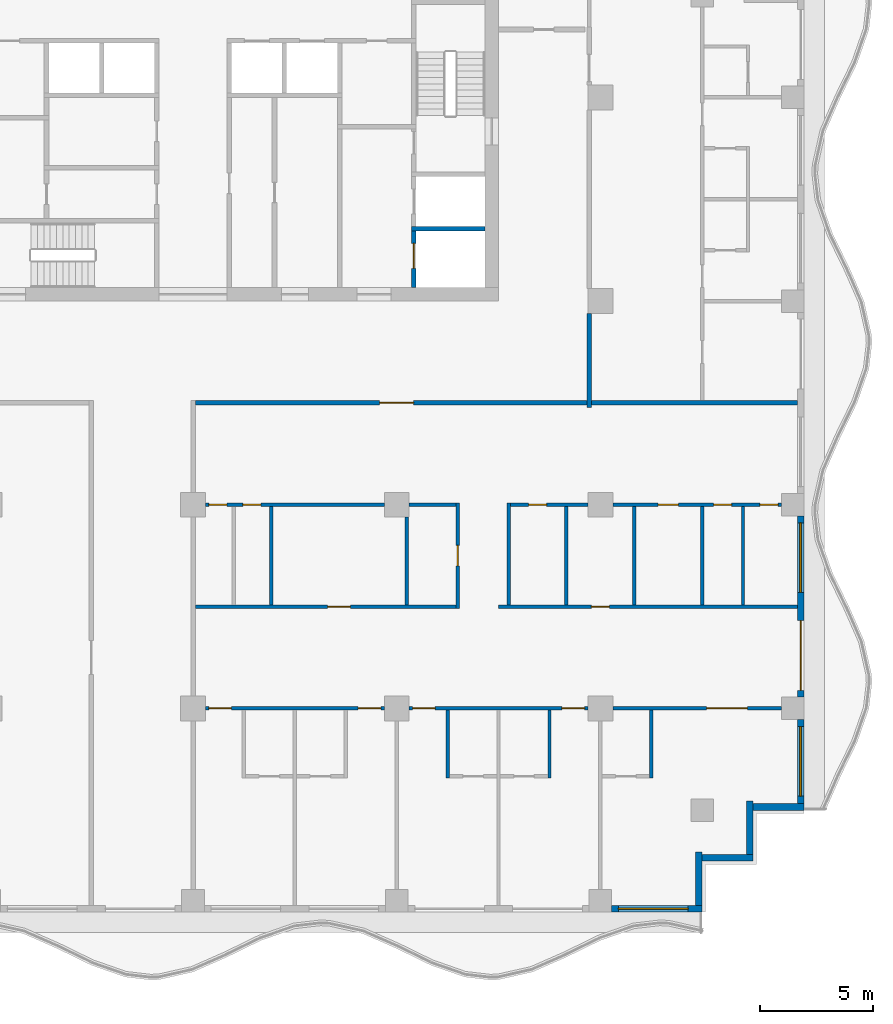
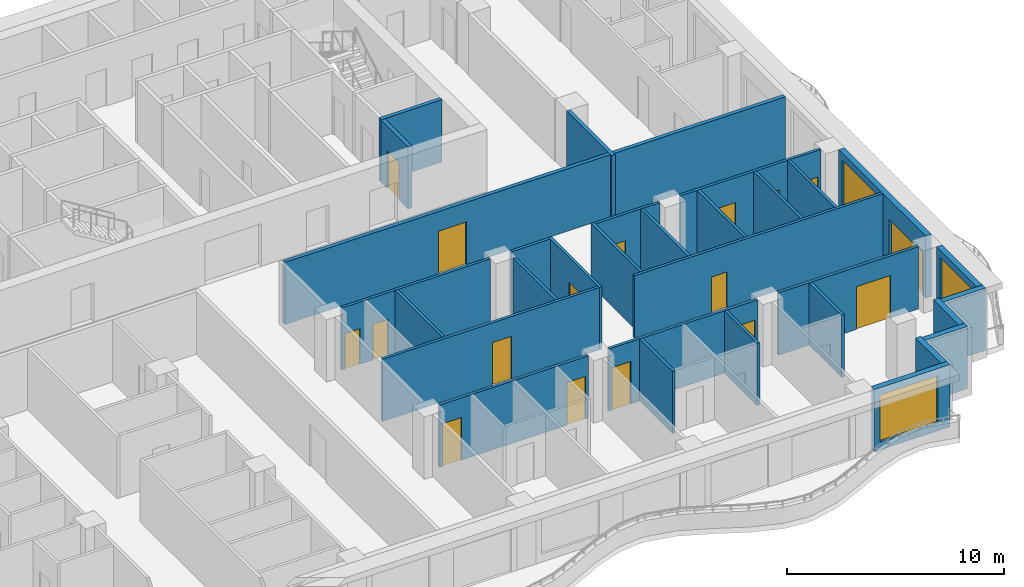
# One storey, part 4 of 12: 32 walls, 17 doors, 3 windows, 20 openings.
"""IFC4 building model written with IfcOpenShell, lengths in metres."""

from ifc_helpers import new_model, si_unit, direction, frame, frame_2d, origin, place, context, subcontext, project, spatial, rectangle, extrude, material, layer, layer_set, type_object, element, fill, save


model = new_model("IFC4")

# Units and contexts
model_context = context("Model", 3, precision=1e-05, world=origin(), true_north=direction((0.0, 1.0)))
body_context = subcontext(model_context, "Body", "Model", "MODEL_VIEW")
ifc_project = project(units=[si_unit("LENGTHUNIT", "METRE"), si_unit("AREAUNIT", "SQUARE_METRE"), si_unit("VOLUMEUNIT", "CUBIC_METRE"), si_unit("PLANEANGLEUNIT", "RADIAN"), si_unit("MASSUNIT", "GRAM", prefix="KILO")], contexts=[model_context])

# Site, building, storey
site_placement = place(None, origin())
site = spatial("IfcSite", under=ifc_project, at=site_placement, CompositionType="ELEMENT")
building_placement = place(site_placement, origin())
building = spatial("IfcBuilding", under=site, at=building_placement, Name="Orbiselva Terraces", CompositionType="ELEMENT")
storey_placement = place(building_placement, frame((0.0, 0.0, 207.2)))
storey = spatial("IfcBuildingStorey", under=building, at=storey_placement, Name="L52", CompositionType="ELEMENT", Elevation=207.2)

# Wall, opening, door
ifc_material_1 = material(Name="Concrete C60/75", Category="concrete")
ifc_layer_1 = layer(ifc_material_1, 0.2)
ifc_layer_set_1 = layer_set([ifc_layer_1], Name="Concrete C60/75")
wall_type_1 = type_object("IfcWallType", Name="CORE-WALL-SHEAR-200", PredefinedType="SHEAR", material=ifc_layer_set_1)
wall_1_placement = place(storey_placement, frame((9.75, 5.1, 0.0), z_axis=(0.0, 0.0, 1.0), x_axis=(0.0, 1.0, 0.0)))
wall_1 = element("IfcWall", 1, at=wall_1_placement, inside=storey, type_object=wall_type_1, Name="L52 core wall 40", PredefinedType="SHEAR", context=body_context, shape_type="SweptSolid", body=[
    extrude(rectangle(XDim=2.5, YDim=0.2, at=frame_2d((1.25, 0.0))), origin(), (0.0, 0.0, 1.0), 3.5),
])
opening_1_placement = place(wall_1_placement, frame((0.85, 0.0, 0.0)))
opening_1 = element("IfcOpeningElement", 2, at=opening_1_placement, cuts=wall_1, Name="Opening LD-FF1", PredefinedType="OPENING", context=body_context, shape_type="SweptSolid", body=[
    extrude(rectangle(XDim=1.1, YDim=2.1, at=frame_2d((0.55, 1.05))), frame((0.0, 0.11, 0.0), z_axis=(0.0, -1.0, 0.0), x_axis=(1.0, 0.0, 0.0)), (0.0, 0.0, 1.0), 0.22),
])
ifc_material_2 = material(Name="Stainless steel landing door", Category="steel")
door_type_1 = type_object("IfcDoorType", Name="LANDING DOOR 1100", OperationType="SLIDING_TO_LEFT", PredefinedType="DOOR", material=ifc_material_2)
door_1_placement = place(opening_1_placement, origin())
door_1 = element("IfcDoor", 3, at=door_1_placement, inside=storey, type_object=door_type_1, Name="L52 landing door FF1", OperationType="SLIDING_TO_RIGHT", OverallHeight=2.1, OverallWidth=1.1, PredefinedType="DOOR", context=body_context, shape_type="SweptSolid", body=[
    extrude(rectangle(XDim=1.1, YDim=2.1, at=frame_2d((0.55, 1.05))), frame((0.0, 0.025, 0.0), z_axis=(0.0, -1.0, 0.0), x_axis=(1.0, 0.0, 0.0)), (0.0, 0.0, 1.0), 0.05),
])
fill(opening_1, door_1)

# Wall
wall_2_placement = place(storey_placement, frame((9.65, 7.7, 0.0), z_axis=(0.0, 0.0, 1.0), x_axis=(1.0, 0.0, 0.0)))
element("IfcWall", 4, at=wall_2_placement, inside=storey, type_object=wall_type_1, Name="L52 core wall 41", PredefinedType="SHEAR", context=body_context, shape_type="SweptSolid", body=[
    extrude(rectangle(XDim=3.25, YDim=0.2, at=frame_2d((1.625, 0.0))), origin(), (0.0, 0.0, 1.0), 3.5),
])

# Wall, opening, window
ifc_material_3 = material(Name="Terracotta cladding on masonry backing", Category="masonry")
ifc_layer_2 = layer(ifc_material_3, 0.3)
ifc_layer_set_2 = layer_set([ifc_layer_2], Name="Terracotta cladding on masonry backing")
wall_type_2 = type_object("IfcWallType", Name="ENV-WALL-TERRACOTTA-300", PredefinedType="SOLIDWALL", material=ifc_layer_set_2)
wall_3_placement = place(storey_placement, frame((22.5, -22.35, 0.0), z_axis=(0.0, 0.0, 1.0), x_axis=(-1.0, 0.0, 0.0)))
wall_3 = element("IfcWall", 5, at=wall_3_placement, inside=storey, type_object=wall_type_2, Name="Facade wall L52 S", PredefinedType="SOLIDWALL", context=body_context, shape_type="SweptSolid", body=[
    extrude(rectangle(XDim=4.0, YDim=0.3, at=frame_2d((2.0, 0.0))), origin(), (0.0, 0.0, 1.0), 3.5),
])
opening_2_placement = place(wall_3_placement, frame((0.625, 0.0, 0.45)))
opening_2 = element("IfcOpeningElement", 6, at=opening_2_placement, cuts=wall_3, Name="Opening WN15", PredefinedType="OPENING", context=body_context, shape_type="SweptSolid", body=[
    extrude(rectangle(XDim=3.075, YDim=2.65, at=frame_2d((1.5375, 1.325))), frame((0.0, 0.16, 0.0), z_axis=(0.0, -1.0, 0.0), x_axis=(1.0, 0.0, 0.0)), (0.0, 0.0, 1.0), 0.32),
])
ifc_material_4 = material(Name="Clear low-e glazing in aluminium frame", Category="aluminium")
window_type = type_object("IfcWindowType", Name="WINDOW 3075 X 2650 S450", PartitioningType="TRIPLE_PANEL_VERTICAL", PredefinedType="WINDOW", material=ifc_material_4)
window_1_placement = place(opening_2_placement, origin())
window_1 = element("IfcWindow", 7, at=window_1_placement, inside=storey, type_object=window_type, Name="Window L52 S", OverallHeight=2.65, OverallWidth=3.075, PartitioningType="SINGLE_PANEL", PredefinedType="WINDOW", context=body_context, shape_type="SweptSolid", body=[
    extrude(rectangle(XDim=3.075, YDim=2.65, at=frame_2d((1.5375, 1.325))), frame((0.0, 0.03, 0.0), z_axis=(0.0, -1.0, 0.0), x_axis=(1.0, 0.0, 0.0)), (0.0, 0.0, 1.0), 0.06),
])
fill(opening_2, window_1)

# Walls
wall_4_placement = place(storey_placement, frame((22.35, -19.85, 0.0), z_axis=(0.0, 0.0, 1.0), x_axis=(0.0, -1.0, 0.0)))
element("IfcWall", 8, at=wall_4_placement, inside=storey, type_object=wall_type_2, Name="Facade wall L52 STEP", PredefinedType="SOLIDWALL", context=body_context, shape_type="SweptSolid", body=[
    extrude(rectangle(XDim=2.35, YDim=0.3, at=frame_2d((1.175, 0.0))), origin(), (0.0, 0.0, 1.0), 3.5),
])
wall_5_placement = place(storey_placement, frame((24.75, -20.1, 0.0), z_axis=(0.0, 0.0, 1.0), x_axis=(-1.0, 0.0, 0.0)))
element("IfcWall", 9, at=wall_5_placement, inside=storey, type_object=wall_type_2, Name="Facade wall L52 STEP", PredefinedType="SOLIDWALL", context=body_context, shape_type="SweptSolid", body=[
    extrude(rectangle(XDim=2.25, YDim=0.3, at=frame_2d((1.125, 0.0))), origin(), (0.0, 0.0, 1.0), 3.5),
])
wall_6_placement = place(storey_placement, frame((24.6, -17.6, 0.0), z_axis=(0.0, 0.0, 1.0), x_axis=(0.0, -1.0, 0.0)))
element("IfcWall", 10, at=wall_6_placement, inside=storey, type_object=wall_type_2, Name="Facade wall L52 STEP", PredefinedType="SOLIDWALL", context=body_context, shape_type="SweptSolid", body=[
    extrude(rectangle(XDim=2.35, YDim=0.3, at=frame_2d((1.175, 0.0))), origin(), (0.0, 0.0, 1.0), 3.5),
])
wall_7_placement = place(storey_placement, frame((27.0, -17.85, 0.0), z_axis=(0.0, 0.0, 1.0), x_axis=(-1.0, 0.0, 0.0)))
element("IfcWall", 11, at=wall_7_placement, inside=storey, type_object=wall_type_2, Name="Facade wall L52 STEP", PredefinedType="SOLIDWALL", context=body_context, shape_type="SweptSolid", body=[
    extrude(rectangle(XDim=2.25, YDim=0.3, at=frame_2d((1.125, 0.0))), origin(), (0.0, 0.0, 1.0), 3.5),
])

# Wall, opening, window
wall_8_placement = place(storey_placement, frame((26.85, -14.0, 0.0), z_axis=(0.0, 0.0, 1.0), x_axis=(0.0, -1.0, 0.0)))
wall_8 = element("IfcWall", 12, at=wall_8_placement, inside=storey, type_object=wall_type_2, Name="Facade wall L52 E", PredefinedType="SOLIDWALL", context=body_context, shape_type="SweptSolid", body=[
    extrude(rectangle(XDim=3.7, YDim=0.3, at=frame_2d((1.85, 0.0))), origin(), (0.0, 0.0, 1.0), 3.5),
])
opening_3_placement = place(wall_8_placement, frame((0.3, 0.0, 0.45)))
opening_3 = element("IfcOpeningElement", 13, at=opening_3_placement, cuts=wall_8, Name="Opening WN15", PredefinedType="OPENING", context=body_context, shape_type="SweptSolid", body=[
    extrude(rectangle(XDim=3.075, YDim=2.65, at=frame_2d((1.5375, 1.325))), frame((0.0, 0.16, 0.0), z_axis=(0.0, -1.0, 0.0), x_axis=(1.0, 0.0, 0.0)), (0.0, 0.0, 1.0), 0.32),
])
window_2_placement = place(opening_3_placement, origin())
window_2 = element("IfcWindow", 14, at=window_2_placement, inside=storey, type_object=window_type, Name="Window L52 E", OverallHeight=2.65, OverallWidth=3.075, PartitioningType="SINGLE_PANEL", PredefinedType="WINDOW", context=body_context, shape_type="SweptSolid", body=[
    extrude(rectangle(XDim=3.075, YDim=2.65, at=frame_2d((1.5375, 1.325))), frame((0.0, 0.03, 0.0), z_axis=(0.0, -1.0, 0.0), x_axis=(1.0, 0.0, 0.0)), (0.0, 0.0, 1.0), 0.06),
])
fill(opening_3, window_2)

# Wall, openings, door, window
wall_9_placement = place(storey_placement, frame((26.85, -5.0, 0.0), z_axis=(0.0, 0.0, 1.0), x_axis=(0.0, -1.0, 0.0)))
wall_9 = element("IfcWall", 15, at=wall_9_placement, inside=storey, type_object=wall_type_2, Name="Facade wall L52 E", PredefinedType="SOLIDWALL", context=body_context, shape_type="SweptSolid", body=[
    extrude(rectangle(XDim=8.0, YDim=0.3, at=frame_2d((4.0, 0.0))), origin(), (0.0, 0.0, 1.0), 3.5),
])
opening_4_placement = place(wall_9_placement, frame((4.625, 0.0, 0.0)))
opening_4 = element("IfcOpeningElement", 16, at=opening_4_placement, cuts=wall_9, Name="Opening Z4-C-E05", PredefinedType="OPENING", context=body_context, shape_type="SweptSolid", body=[
    extrude(rectangle(XDim=3.075, YDim=2.4, at=frame_2d((1.5375, 1.2))), frame((0.0, 0.16, 0.0), z_axis=(0.0, -1.0, 0.0), x_axis=(1.0, 0.0, 0.0)), (0.0, 0.0, 1.0), 0.32),
])
opening_5_placement = place(wall_9_placement, frame((0.3, 0.0, 0.45)))
opening_5 = element("IfcOpeningElement", 17, at=opening_5_placement, cuts=wall_9, Name="Opening WN15", PredefinedType="OPENING", context=body_context, shape_type="SweptSolid", body=[
    extrude(rectangle(XDim=3.075, YDim=2.65, at=frame_2d((1.5375, 1.325))), frame((0.0, 0.16, 0.0), z_axis=(0.0, -1.0, 0.0), x_axis=(1.0, 0.0, 0.0)), (0.0, 0.0, 1.0), 0.32),
])
door_type_2 = type_object("IfcDoorType", Name="BALCONY DOOR 3075 X 2400", OperationType="DOUBLE_DOOR_SLIDING", PredefinedType="DOOR", material=ifc_material_4)
door_2_placement = place(opening_4_placement, origin())
door_2 = element("IfcDoor", 18, at=door_2_placement, inside=storey, type_object=door_type_2, Name="Z4-C-E05", OperationType="SINGLE_SWING_LEFT", OverallHeight=2.4, OverallWidth=3.075, PredefinedType="DOOR", context=body_context, shape_type="SweptSolid", body=[
    extrude(rectangle(XDim=3.075, YDim=2.4, at=frame_2d((1.5375, 1.2))), frame((0.0, 0.025, 0.0), z_axis=(0.0, -1.0, 0.0), x_axis=(1.0, 0.0, 0.0)), (0.0, 0.0, 1.0), 0.05),
])
fill(opening_4, door_2)
window_3_placement = place(opening_5_placement, origin())
window_3 = element("IfcWindow", 19, at=window_3_placement, inside=storey, type_object=window_type, Name="Window L52 E", OverallHeight=2.65, OverallWidth=3.075, PartitioningType="SINGLE_PANEL", PredefinedType="WINDOW", context=body_context, shape_type="SweptSolid", body=[
    extrude(rectangle(XDim=3.075, YDim=2.65, at=frame_2d((1.5375, 1.325))), frame((0.0, 0.03, 0.0), z_axis=(0.0, -1.0, 0.0), x_axis=(1.0, 0.0, 0.0)), (0.0, 0.0, 1.0), 0.06),
])
fill(opening_5, window_3)

# Wall, opening, door
ifc_material_5 = material(Name="Plasterboard on steel stud partition", Category="steel")
ifc_layer_3 = layer(ifc_material_5, 0.2)
ifc_layer_set_3 = layer_set([ifc_layer_3], Name="Plasterboard on steel stud partition")
wall_type_3 = type_object("IfcWallType", Name="UNIT-ENTRANCE-WALL-200", PredefinedType="PARTITIONING", material=ifc_layer_set_3)
wall_10_placement = place(storey_placement, frame((17.4, 0.0, 0.0), z_axis=(0.0, 0.0, 1.0), x_axis=(-1.0, 0.0, 0.0)))
wall_10 = element("IfcWall", 20, at=wall_10_placement, inside=storey, type_object=wall_type_3, Name="PARTITION L52-031", PredefinedType="PARTITIONING", context=body_context, shape_type="SweptSolid", body=[
    extrude(rectangle(XDim=17.3, YDim=0.2, at=frame_2d((8.65, 0.0))), origin(), (0.0, 0.0, 1.0), 3.5),
])
opening_6_placement = place(wall_10_placement, frame((7.65, 0.0, 0.0)))
opening_6 = element("IfcOpeningElement", 21, at=opening_6_placement, cuts=wall_10, Name="Opening Z4-C-34", PredefinedType="OPENING", context=body_context, shape_type="SweptSolid", body=[
    extrude(rectangle(XDim=1.5, YDim=2.4, at=frame_2d((0.75, 1.2))), frame((0.0, 0.11, 0.0), z_axis=(0.0, -1.0, 0.0), x_axis=(1.0, 0.0, 0.0)), (0.0, 0.0, 1.0), 0.22),
])
ifc_material_6 = material(Name="Painted timber door leaf", Category="wood")
door_type_3 = type_object("IfcDoorType", Name="ENTRANCE DOUBLE DOOR 1500", OperationType="NOTDEFINED", PredefinedType="DOOR", material=ifc_material_6)
door_3_placement = place(opening_6_placement, origin())
door_3 = element("IfcDoor", 22, at=door_3_placement, inside=storey, type_object=door_type_3, Name="Z4-C-34", OperationType="DOUBLE_DOOR_SINGLE_SWING", OverallHeight=2.4, OverallWidth=1.5, PredefinedType="DOOR", context=body_context, shape_type="SweptSolid", body=[
    extrude(rectangle(XDim=1.5, YDim=2.4, at=frame_2d((0.75, 1.2))), frame((0.0, 0.025, 0.0), z_axis=(0.0, -1.0, 0.0), x_axis=(1.0, 0.0, 0.0)), (0.0, 0.0, 1.0), 0.05),
])
fill(opening_6, door_3)

# Wall
wall_11_placement = place(storey_placement, frame((17.5, -0.2, 0.0), z_axis=(0.0, 0.0, 1.0), x_axis=(0.0, 1.0, 0.0)))
element("IfcWall", 23, at=wall_11_placement, inside=storey, type_object=wall_type_3, Name="PARTITION L52-085", PredefinedType="PARTITIONING", context=body_context, shape_type="SweptSolid", body=[
    extrude(rectangle(XDim=4.15, YDim=0.2, at=frame_2d((2.075, 0.0))), origin(), (0.0, 0.0, 1.0), 3.5),
])

# Wall, openings, doors
ifc_layer_4 = layer(ifc_material_5, 0.15)
ifc_layer_set_4 = layer_set([ifc_layer_4], Name="Plasterboard on steel stud partition")
wall_type_4 = type_object("IfcWallType", Name="UNIT-PARTITION-150", PredefinedType="PARTITIONING", material=ifc_layer_set_4)
wall_12_placement = place(storey_placement, frame((8.45, -13.5, 0.0), z_axis=(0.0, 0.0, 1.0), x_axis=(-1.0, 0.0, 0.0)))
wall_12 = element("IfcWall", 24, at=wall_12_placement, inside=storey, type_object=wall_type_4, Name="PARTITION L52-012", PredefinedType="PARTITIONING", context=body_context, shape_type="SweptSolid", body=[
    extrude(rectangle(XDim=7.9, YDim=0.15, at=frame_2d((3.95, 0.0))), origin(), (0.0, 0.0, 1.0), 3.5),
])
opening_7_placement = place(wall_12_placement, frame((6.75, 0.0, 0.0)))
opening_7 = element("IfcOpeningElement", 25, at=opening_7_placement, cuts=wall_12, Name="Opening Z4-C-44", PredefinedType="OPENING", context=body_context, shape_type="SweptSolid", body=[
    extrude(rectangle(XDim=1.0, YDim=2.4, at=frame_2d((0.5, 1.2))), frame((0.0, 0.085, 0.0), z_axis=(0.0, -1.0, 0.0), x_axis=(1.0, 0.0, 0.0)), (0.0, 0.0, 1.0), 0.17),
])
opening_8_placement = place(wall_12_placement, frame((0.15, 0.0, 0.0)))
opening_8 = element("IfcOpeningElement", 26, at=opening_8_placement, cuts=wall_12, Name="Opening Z4-C-46", PredefinedType="OPENING", context=body_context, shape_type="SweptSolid", body=[
    extrude(rectangle(XDim=1.0, YDim=2.4, at=frame_2d((0.5, 1.2))), frame((0.0, 0.085, 0.0), z_axis=(0.0, -1.0, 0.0), x_axis=(1.0, 0.0, 0.0)), (0.0, 0.0, 1.0), 0.17),
])
door_type_4 = type_object("IfcDoorType", Name="ROOM DOOR 1000", OperationType="NOTDEFINED", PredefinedType="DOOR", material=ifc_material_6)
door_4_placement = place(opening_7_placement, origin())
door_4 = element("IfcDoor", 27, at=door_4_placement, inside=storey, type_object=door_type_4, Name="Z4-C-44", OperationType="SINGLE_SWING_RIGHT", OverallHeight=2.4, OverallWidth=1.0, PredefinedType="DOOR", context=body_context, shape_type="SweptSolid", body=[
    extrude(rectangle(XDim=1.0, YDim=2.4, at=frame_2d((0.5, 1.2))), frame((0.0, 0.025, 0.0), z_axis=(0.0, -1.0, 0.0), x_axis=(1.0, 0.0, 0.0)), (0.0, 0.0, 1.0), 0.05),
])
fill(opening_7, door_4)
door_5_placement = place(opening_8_placement, origin())
door_5 = element("IfcDoor", 28, at=door_5_placement, inside=storey, type_object=door_type_4, Name="Z4-C-46", OperationType="SINGLE_SWING_LEFT", OverallHeight=2.4, OverallWidth=1.0, PredefinedType="DOOR", context=body_context, shape_type="SweptSolid", body=[
    extrude(rectangle(XDim=1.0, YDim=2.4, at=frame_2d((0.5, 1.2))), frame((0.0, 0.025, 0.0), z_axis=(0.0, -1.0, 0.0), x_axis=(1.0, 0.0, 0.0)), (0.0, 0.0, 1.0), 0.05),
])
fill(opening_8, door_5)

wall_13_placement = place(storey_placement, frame((17.45, -13.5, 0.0), z_axis=(0.0, 0.0, 1.0), x_axis=(-1.0, 0.0, 0.0)))
wall_13 = element("IfcWall", 29, at=wall_13_placement, inside=storey, type_object=wall_type_4, Name="PARTITION L52-013", PredefinedType="PARTITIONING", context=body_context, shape_type="SweptSolid", body=[
    extrude(rectangle(XDim=7.9, YDim=0.15, at=frame_2d((3.95, 0.0))), origin(), (0.0, 0.0, 1.0), 3.5),
])
opening_9_placement = place(wall_13_placement, frame((6.75, 0.0, 0.0)))
opening_9 = element("IfcOpeningElement", 30, at=opening_9_placement, cuts=wall_13, Name="Opening Z4-C-48", PredefinedType="OPENING", context=body_context, shape_type="SweptSolid", body=[
    extrude(rectangle(XDim=1.0, YDim=2.4, at=frame_2d((0.5, 1.2))), frame((0.0, 0.085, 0.0), z_axis=(0.0, -1.0, 0.0), x_axis=(1.0, 0.0, 0.0)), (0.0, 0.0, 1.0), 0.17),
])
opening_10_placement = place(wall_13_placement, frame((0.15, 0.0, 0.0)))
opening_10 = element("IfcOpeningElement", 31, at=opening_10_placement, cuts=wall_13, Name="Opening Z4-C-50", PredefinedType="OPENING", context=body_context, shape_type="SweptSolid", body=[
    extrude(rectangle(XDim=1.0, YDim=2.4, at=frame_2d((0.5, 1.2))), frame((0.0, 0.085, 0.0), z_axis=(0.0, -1.0, 0.0), x_axis=(1.0, 0.0, 0.0)), (0.0, 0.0, 1.0), 0.17),
])
door_6_placement = place(opening_9_placement, origin())
door_6 = element("IfcDoor", 32, at=door_6_placement, inside=storey, type_object=door_type_4, Name="Z4-C-48", OperationType="SINGLE_SWING_RIGHT", OverallHeight=2.4, OverallWidth=1.0, PredefinedType="DOOR", context=body_context, shape_type="SweptSolid", body=[
    extrude(rectangle(XDim=1.0, YDim=2.4, at=frame_2d((0.5, 1.2))), frame((0.0, 0.025, 0.0), z_axis=(0.0, -1.0, 0.0), x_axis=(1.0, 0.0, 0.0)), (0.0, 0.0, 1.0), 0.05),
])
fill(opening_9, door_6)
door_7_placement = place(opening_10_placement, origin())
door_7 = element("IfcDoor", 33, at=door_7_placement, inside=storey, type_object=door_type_4, Name="Z4-C-50", OperationType="SINGLE_SWING_LEFT", OverallHeight=2.4, OverallWidth=1.0, PredefinedType="DOOR", context=body_context, shape_type="SweptSolid", body=[
    extrude(rectangle(XDim=1.0, YDim=2.4, at=frame_2d((0.5, 1.2))), frame((0.0, 0.025, 0.0), z_axis=(0.0, -1.0, 0.0), x_axis=(1.0, 0.0, 0.0)), (0.0, 0.0, 1.0), 0.05),
])
fill(opening_10, door_7)

# Wall, opening, door
wall_14_placement = place(storey_placement, frame((26.0, -13.5, 0.0), z_axis=(0.0, 0.0, 1.0), x_axis=(-1.0, 0.0, 0.0)))
wall_14 = element("IfcWall", 34, at=wall_14_placement, inside=storey, type_object=wall_type_4, Name="PARTITION L52-014", PredefinedType="PARTITIONING", context=body_context, shape_type="SweptSolid", body=[
    extrude(rectangle(XDim=7.45, YDim=0.15, at=frame_2d((3.725, 0.0))), origin(), (0.0, 0.0, 1.0), 3.5),
])
opening_11_placement = place(wall_14_placement, frame((1.5, 0.0, 0.0)))
opening_11 = element("IfcOpeningElement", 35, at=opening_11_placement, cuts=wall_14, Name="Opening Z4-C-52", PredefinedType="OPENING", context=body_context, shape_type="SweptSolid", body=[
    extrude(rectangle(XDim=1.8, YDim=2.4, at=frame_2d((0.9, 1.2))), frame((0.0, 0.085, 0.0), z_axis=(0.0, -1.0, 0.0), x_axis=(1.0, 0.0, 0.0)), (0.0, 0.0, 1.0), 0.17),
])
door_type_5 = type_object("IfcDoorType", Name="DOUBLE DOOR 1800", OperationType="NOTDEFINED", PredefinedType="DOOR", material=ifc_material_6)
door_8_placement = place(opening_11_placement, origin())
door_8 = element("IfcDoor", 36, at=door_8_placement, inside=storey, type_object=door_type_5, Name="Z4-C-52", OperationType="DOUBLE_DOOR_SINGLE_SWING", OverallHeight=2.4, OverallWidth=1.8, PredefinedType="DOOR", context=body_context, shape_type="SweptSolid", body=[
    extrude(rectangle(XDim=1.8, YDim=2.4, at=frame_2d((0.9, 1.2))), frame((0.0, 0.025, 0.0), z_axis=(0.0, -1.0, 0.0), x_axis=(1.0, 0.0, 0.0)), (0.0, 0.0, 1.0), 0.05),
])
fill(opening_11, door_8)

wall_15_placement = place(storey_placement, frame((0.1, -9.0, 0.0), z_axis=(0.0, 0.0, 1.0), x_axis=(1.0, 0.0, 0.0)))
wall_15 = element("IfcWall", 37, at=wall_15_placement, inside=storey, type_object=wall_type_4, Name="PARTITION L52-019", PredefinedType="PARTITIONING", context=body_context, shape_type="SweptSolid", body=[
    extrude(rectangle(XDim=11.525, YDim=0.15, at=frame_2d((5.7625, 0.0))), origin(), (0.0, 0.0, 1.0), 3.5),
])
opening_12_placement = place(wall_15_placement, frame((5.85, 0.0, 0.0)))
opening_12 = element("IfcOpeningElement", 38, at=opening_12_placement, cuts=wall_15, Name="Opening Z4-C-37", PredefinedType="OPENING", context=body_context, shape_type="SweptSolid", body=[
    extrude(rectangle(XDim=1.0, YDim=2.4, at=frame_2d((0.5, 1.2))), frame((0.0, 0.085, 0.0), z_axis=(0.0, -1.0, 0.0), x_axis=(1.0, 0.0, 0.0)), (0.0, 0.0, 1.0), 0.17),
])
door_9_placement = place(opening_12_placement, origin())
door_9 = element("IfcDoor", 39, at=door_9_placement, inside=storey, type_object=door_type_4, Name="Z4-C-37", OperationType="SINGLE_SWING_RIGHT", OverallHeight=2.4, OverallWidth=1.0, PredefinedType="DOOR", context=body_context, shape_type="SweptSolid", body=[
    extrude(rectangle(XDim=1.0, YDim=2.4, at=frame_2d((0.5, 1.2))), frame((0.0, 0.025, 0.0), z_axis=(0.0, -1.0, 0.0), x_axis=(1.0, 0.0, 0.0)), (0.0, 0.0, 1.0), 0.05),
])
fill(opening_12, door_9)

wall_16_placement = place(storey_placement, frame((13.5, -9.0, 0.0), z_axis=(0.0, 0.0, 1.0), x_axis=(1.0, 0.0, 0.0)))
wall_16 = element("IfcWall", 40, at=wall_16_placement, inside=storey, type_object=wall_type_4, Name="PARTITION L52-020", PredefinedType="PARTITIONING", context=body_context, shape_type="SweptSolid", body=[
    extrude(rectangle(XDim=13.2, YDim=0.15, at=frame_2d((6.6, 0.0))), origin(), (0.0, 0.0, 1.0), 3.5),
])
opening_13_placement = place(wall_16_placement, frame((4.1, 0.0, 0.0)))
opening_13 = element("IfcOpeningElement", 41, at=opening_13_placement, cuts=wall_16, Name="Opening Z4-C-40", PredefinedType="OPENING", context=body_context, shape_type="SweptSolid", body=[
    extrude(rectangle(XDim=0.8, YDim=2.0, at=frame_2d((0.4, 1.0))), frame((0.0, 0.085, 0.0), z_axis=(0.0, -1.0, 0.0), x_axis=(1.0, 0.0, 0.0)), (0.0, 0.0, 1.0), 0.17),
])
door_type_6 = type_object("IfcDoorType", Name="STORE DOOR 800", OperationType="NOTDEFINED", PredefinedType="DOOR", material=ifc_material_6)
door_10_placement = place(opening_13_placement, origin())
door_10 = element("IfcDoor", 42, at=door_10_placement, inside=storey, type_object=door_type_6, Name="Z4-C-40", OperationType="SINGLE_SWING_LEFT", OverallHeight=2.0, OverallWidth=0.8, PredefinedType="DOOR", context=body_context, shape_type="SweptSolid", body=[
    extrude(rectangle(XDim=0.8, YDim=2.0, at=frame_2d((0.4, 1.0))), frame((0.0, 0.025, 0.0), z_axis=(0.0, -1.0, 0.0), x_axis=(1.0, 0.0, 0.0)), (0.0, 0.0, 1.0), 0.05),
])
fill(opening_13, door_10)

# Wall, openings, doors
wall_17_placement = place(storey_placement, frame((8.45, -4.5, 0.0), z_axis=(0.0, 0.0, 1.0), x_axis=(-1.0, 0.0, 0.0)))
wall_17 = element("IfcWall", 43, at=wall_17_placement, inside=storey, type_object=wall_type_4, Name="PARTITION L52-025", PredefinedType="PARTITIONING", context=body_context, shape_type="SweptSolid", body=[
    extrude(rectangle(XDim=7.9, YDim=0.15, at=frame_2d((3.95, 0.0))), origin(), (0.0, 0.0, 1.0), 3.5),
])
opening_14_placement = place(wall_17_placement, frame((6.95, 0.0, 0.0)))
opening_14 = element("IfcOpeningElement", 44, at=opening_14_placement, cuts=wall_17, Name="Opening Z4-C-35", PredefinedType="OPENING", context=body_context, shape_type="SweptSolid", body=[
    extrude(rectangle(XDim=0.8, YDim=2.0, at=frame_2d((0.4, 1.0))), frame((0.0, 0.085, 0.0), z_axis=(0.0, -1.0, 0.0), x_axis=(1.0, 0.0, 0.0)), (0.0, 0.0, 1.0), 0.17),
])
opening_15_placement = place(wall_17_placement, frame((5.45, 0.0, 0.0)))
opening_15 = element("IfcOpeningElement", 45, at=opening_15_placement, cuts=wall_17, Name="Opening Z4-C-36", PredefinedType="OPENING", context=body_context, shape_type="SweptSolid", body=[
    extrude(rectangle(XDim=0.8, YDim=2.0, at=frame_2d((0.4, 1.0))), frame((0.0, 0.085, 0.0), z_axis=(0.0, -1.0, 0.0), x_axis=(1.0, 0.0, 0.0)), (0.0, 0.0, 1.0), 0.17),
])
door_11_placement = place(opening_14_placement, origin())
door_11 = element("IfcDoor", 46, at=door_11_placement, inside=storey, type_object=door_type_6, Name="Z4-C-35", OperationType="SINGLE_SWING_RIGHT", OverallHeight=2.0, OverallWidth=0.8, PredefinedType="DOOR", context=body_context, shape_type="SweptSolid", body=[
    extrude(rectangle(XDim=0.8, YDim=2.0, at=frame_2d((0.4, 1.0))), frame((0.0, 0.025, 0.0), z_axis=(0.0, -1.0, 0.0), x_axis=(1.0, 0.0, 0.0)), (0.0, 0.0, 1.0), 0.05),
])
fill(opening_14, door_11)
door_12_placement = place(opening_15_placement, origin())
door_12 = element("IfcDoor", 47, at=door_12_placement, inside=storey, type_object=door_type_6, Name="Z4-C-36", OperationType="SINGLE_SWING_RIGHT", OverallHeight=2.0, OverallWidth=0.8, PredefinedType="DOOR", context=body_context, shape_type="SweptSolid", body=[
    extrude(rectangle(XDim=0.8, YDim=2.0, at=frame_2d((0.4, 1.0))), frame((0.0, 0.025, 0.0), z_axis=(0.0, -1.0, 0.0), x_axis=(1.0, 0.0, 0.0)), (0.0, 0.0, 1.0), 0.05),
])
fill(opening_15, door_12)

# Wall
wall_18_placement = place(storey_placement, frame((9.55, -4.5, 0.0), z_axis=(0.0, 0.0, 1.0), x_axis=(1.0, 0.0, 0.0)))
element("IfcWall", 48, at=wall_18_placement, inside=storey, type_object=wall_type_4, Name="PARTITION L52-026", PredefinedType="PARTITIONING", context=body_context, shape_type="SweptSolid", body=[
    extrude(rectangle(XDim=2.075, YDim=0.15, at=frame_2d((1.0375, 0.0))), origin(), (0.0, 0.0, 1.0), 3.5),
])

# Wall, opening, door
wall_19_placement = place(storey_placement, frame((17.45, -4.5, 0.0), z_axis=(0.0, 0.0, 1.0), x_axis=(-1.0, 0.0, 0.0)))
wall_19 = element("IfcWall", 49, at=wall_19_placement, inside=storey, type_object=wall_type_4, Name="PARTITION L52-027", PredefinedType="PARTITIONING", context=body_context, shape_type="SweptSolid", body=[
    extrude(rectangle(XDim=3.425, YDim=0.15, at=frame_2d((1.7125, 0.0))), origin(), (0.0, 0.0, 1.0), 3.5),
])
opening_16_placement = place(wall_19_placement, frame((1.825, 0.0, 0.0)))
opening_16 = element("IfcOpeningElement", 50, at=opening_16_placement, cuts=wall_19, Name="Opening Z4-C-39", PredefinedType="OPENING", context=body_context, shape_type="SweptSolid", body=[
    extrude(rectangle(XDim=0.8, YDim=2.0, at=frame_2d((0.4, 1.0))), frame((0.0, 0.085, 0.0), z_axis=(0.0, -1.0, 0.0), x_axis=(1.0, 0.0, 0.0)), (0.0, 0.0, 1.0), 0.17),
])
door_13_placement = place(opening_16_placement, origin())
door_13 = element("IfcDoor", 51, at=door_13_placement, inside=storey, type_object=door_type_6, Name="Z4-C-39", OperationType="SINGLE_SWING_RIGHT", OverallHeight=2.0, OverallWidth=0.8, PredefinedType="DOOR", context=body_context, shape_type="SweptSolid", body=[
    extrude(rectangle(XDim=0.8, YDim=2.0, at=frame_2d((0.4, 1.0))), frame((0.0, 0.025, 0.0), z_axis=(0.0, -1.0, 0.0), x_axis=(1.0, 0.0, 0.0)), (0.0, 0.0, 1.0), 0.05),
])
fill(opening_16, door_13)

# Wall, openings, doors
wall_20_placement = place(storey_placement, frame((26.0, -4.5, 0.0), z_axis=(0.0, 0.0, 1.0), x_axis=(-1.0, 0.0, 0.0)))
wall_20 = element("IfcWall", 52, at=wall_20_placement, inside=storey, type_object=wall_type_4, Name="PARTITION L52-028", PredefinedType="PARTITIONING", context=body_context, shape_type="SweptSolid", body=[
    extrude(rectangle(XDim=7.45, YDim=0.15, at=frame_2d((3.725, 0.0))), origin(), (0.0, 0.0, 1.0), 3.5),
])
opening_17_placement = place(wall_20_placement, frame((4.55, 0.0, 0.0)))
opening_17 = element("IfcOpeningElement", 53, at=opening_17_placement, cuts=wall_20, Name="Opening Z4-C-41", PredefinedType="OPENING", context=body_context, shape_type="SweptSolid", body=[
    extrude(rectangle(XDim=0.9, YDim=2.1, at=frame_2d((0.45, 1.05))), frame((0.0, 0.085, 0.0), z_axis=(0.0, -1.0, 0.0), x_axis=(1.0, 0.0, 0.0)), (0.0, 0.0, 1.0), 0.17),
])
opening_18_placement = place(wall_20_placement, frame((2.2, 0.0, 0.0)))
opening_18 = element("IfcOpeningElement", 54, at=opening_18_placement, cuts=wall_20, Name="Opening Z4-C-42", PredefinedType="OPENING", context=body_context, shape_type="SweptSolid", body=[
    extrude(rectangle(XDim=0.8, YDim=2.0, at=frame_2d((0.4, 1.0))), frame((0.0, 0.085, 0.0), z_axis=(0.0, -1.0, 0.0), x_axis=(1.0, 0.0, 0.0)), (0.0, 0.0, 1.0), 0.17),
])
opening_19_placement = place(wall_20_placement, frame((0.15, 0.0, 0.0)))
opening_19 = element("IfcOpeningElement", 55, at=opening_19_placement, cuts=wall_20, Name="Opening Z4-C-43", PredefinedType="OPENING", context=body_context, shape_type="SweptSolid", body=[
    extrude(rectangle(XDim=0.8, YDim=2.0, at=frame_2d((0.4, 1.0))), frame((0.0, 0.085, 0.0), z_axis=(0.0, -1.0, 0.0), x_axis=(1.0, 0.0, 0.0)), (0.0, 0.0, 1.0), 0.17),
])
door_type_7 = type_object("IfcDoorType", Name="SERVICE DOOR 900", OperationType="NOTDEFINED", PredefinedType="DOOR", material=ifc_material_6)
door_14_placement = place(opening_17_placement, origin())
door_14 = element("IfcDoor", 56, at=door_14_placement, inside=storey, type_object=door_type_7, Name="Z4-C-41", OperationType="SINGLE_SWING_RIGHT", OverallHeight=2.1, OverallWidth=0.9, PredefinedType="DOOR", context=body_context, shape_type="SweptSolid", body=[
    extrude(rectangle(XDim=0.9, YDim=2.1, at=frame_2d((0.45, 1.05))), frame((0.0, 0.025, 0.0), z_axis=(0.0, -1.0, 0.0), x_axis=(1.0, 0.0, 0.0)), (0.0, 0.0, 1.0), 0.05),
])
fill(opening_17, door_14)
door_15_placement = place(opening_18_placement, origin())
door_15 = element("IfcDoor", 57, at=door_15_placement, inside=storey, type_object=door_type_6, Name="Z4-C-42", OperationType="SINGLE_SWING_LEFT", OverallHeight=2.0, OverallWidth=0.8, PredefinedType="DOOR", context=body_context, shape_type="SweptSolid", body=[
    extrude(rectangle(XDim=0.8, YDim=2.0, at=frame_2d((0.4, 1.0))), frame((0.0, 0.025, 0.0), z_axis=(0.0, -1.0, 0.0), x_axis=(1.0, 0.0, 0.0)), (0.0, 0.0, 1.0), 0.05),
])
fill(opening_18, door_15)
door_16_placement = place(opening_19_placement, origin())
door_16 = element("IfcDoor", 58, at=door_16_placement, inside=storey, type_object=door_type_6, Name="Z4-C-43", OperationType="SINGLE_SWING_LEFT", OverallHeight=2.0, OverallWidth=0.8, PredefinedType="DOOR", context=body_context, shape_type="SweptSolid", body=[
    extrude(rectangle(XDim=0.8, YDim=2.0, at=frame_2d((0.4, 1.0))), frame((0.0, 0.025, 0.0), z_axis=(0.0, -1.0, 0.0), x_axis=(1.0, 0.0, 0.0)), (0.0, 0.0, 1.0), 0.05),
])
fill(opening_19, door_16)

# Walls
wall_21_placement = place(storey_placement, frame((3.45, -8.925, 0.0), z_axis=(0.0, 0.0, 1.0), x_axis=(0.0, 1.0, 0.0)))
element("IfcWall", 59, at=wall_21_placement, inside=storey, type_object=wall_type_4, Name="PARTITION L52-074", PredefinedType="PARTITIONING", context=body_context, shape_type="SweptSolid", body=[
    extrude(rectangle(XDim=4.35, YDim=0.15, at=frame_2d((2.175, 0.0))), origin(), (0.0, 0.0, 1.0), 3.5),
])
wall_22_placement = place(storey_placement, frame((9.45, -8.925, 0.0), z_axis=(0.0, 0.0, 1.0), x_axis=(0.0, 1.0, 0.0)))
element("IfcWall", 60, at=wall_22_placement, inside=storey, type_object=wall_type_4, Name="PARTITION L52-078", PredefinedType="PARTITIONING", context=body_context, shape_type="SweptSolid", body=[
    extrude(rectangle(XDim=3.875, YDim=0.15, at=frame_2d((1.9375, 0.0))), origin(), (0.0, 0.0, 1.0), 3.5),
])
wall_23_placement = place(storey_placement, frame((11.25, -16.575, 0.0), z_axis=(0.0, 0.0, 1.0), x_axis=(0.0, 1.0, 0.0)))
element("IfcWall", 61, at=wall_23_placement, inside=storey, type_object=wall_type_4, Name="PARTITION L52-079", PredefinedType="PARTITIONING", context=body_context, shape_type="SweptSolid", body=[
    extrude(rectangle(XDim=3.0, YDim=0.15, at=frame_2d((1.5, 0.0))), origin(), (0.0, 0.0, 1.0), 3.5),
])

# Wall, opening, door
wall_24_placement = place(storey_placement, frame((11.7, -9.075, 0.0), z_axis=(0.0, 0.0, 1.0), x_axis=(0.0, 1.0, 0.0)))
wall_24 = element("IfcWall", 62, at=wall_24_placement, inside=storey, type_object=wall_type_4, Name="PARTITION L52-080", PredefinedType="PARTITIONING", context=body_context, shape_type="SweptSolid", body=[
    extrude(rectangle(XDim=4.65, YDim=0.15, at=frame_2d((2.325, 0.0))), origin(), (0.0, 0.0, 1.0), 3.5),
])
opening_20_placement = place(wall_24_placement, frame((1.875, 0.0, 0.0)))
opening_20 = element("IfcOpeningElement", 63, at=opening_20_placement, cuts=wall_24, Name="Opening Z4-C-38", PredefinedType="OPENING", context=body_context, shape_type="SweptSolid", body=[
    extrude(rectangle(XDim=0.9, YDim=2.1, at=frame_2d((0.45, 1.05))), frame((0.0, 0.085, 0.0), z_axis=(0.0, -1.0, 0.0), x_axis=(1.0, 0.0, 0.0)), (0.0, 0.0, 1.0), 0.17),
])
door_type_8 = type_object("IfcDoorType", Name="BATH DOOR 900", OperationType="NOTDEFINED", PredefinedType="DOOR", material=ifc_material_6)
door_17_placement = place(opening_20_placement, origin())
door_17 = element("IfcDoor", 64, at=door_17_placement, inside=storey, type_object=door_type_8, Name="Z4-C-38", OperationType="SINGLE_SWING_LEFT", OverallHeight=2.1, OverallWidth=0.9, PredefinedType="DOOR", context=body_context, shape_type="SweptSolid", body=[
    extrude(rectangle(XDim=0.9, YDim=2.1, at=frame_2d((0.45, 1.05))), frame((0.0, 0.025, 0.0), z_axis=(0.0, -1.0, 0.0), x_axis=(1.0, 0.0, 0.0)), (0.0, 0.0, 1.0), 0.05),
])
fill(opening_20, door_17)

# Walls
wall_25_placement = place(storey_placement, frame((13.95, -8.925, 0.0), z_axis=(0.0, 0.0, 1.0), x_axis=(0.0, 1.0, 0.0)))
element("IfcWall", 65, at=wall_25_placement, inside=storey, type_object=wall_type_4, Name="PARTITION L52-082", PredefinedType="PARTITIONING", context=body_context, shape_type="SweptSolid", body=[
    extrude(rectangle(XDim=4.5, YDim=0.15, at=frame_2d((2.25, 0.0))), origin(), (0.0, 0.0, 1.0), 3.5),
])
wall_26_placement = place(storey_placement, frame((15.75, -16.575, 0.0), z_axis=(0.0, 0.0, 1.0), x_axis=(0.0, 1.0, 0.0)))
element("IfcWall", 66, at=wall_26_placement, inside=storey, type_object=wall_type_4, Name="PARTITION L52-083", PredefinedType="PARTITIONING", context=body_context, shape_type="SweptSolid", body=[
    extrude(rectangle(XDim=3.0, YDim=0.15, at=frame_2d((1.5, 0.0))), origin(), (0.0, 0.0, 1.0), 3.5),
])
for number, where, z_axis, x_axis, name in (
    (67, (16.5, -8.925, 0.0), (0.0, 0.0, 1.0), (0.0, 1.0, 0.0), "PARTITION L52-084"),
    (68, (19.5, -8.925, 0.0), (0.0, 0.0, 1.0), (0.0, 1.0, 0.0), "PARTITION L52-090"),
):
    element("IfcWall", number, at=place(storey_placement, frame(where, z_axis=z_axis, x_axis=x_axis)), inside=storey, type_object=wall_type_4, Name=name, PredefinedType="PARTITIONING", context=body_context, shape_type="SweptSolid", body=[
        extrude(rectangle(XDim=4.35, YDim=0.15, at=frame_2d((2.175, 0.0))), origin(), (0.0, 0.0, 1.0), 3.5),
    ])
wall_27_placement = place(storey_placement, frame((20.25, -16.575, 0.0), z_axis=(0.0, 0.0, 1.0), x_axis=(0.0, 1.0, 0.0)))
element("IfcWall", 69, at=wall_27_placement, inside=storey, type_object=wall_type_4, Name="PARTITION L52-091", PredefinedType="PARTITIONING", context=body_context, shape_type="SweptSolid", body=[
    extrude(rectangle(XDim=3.0, YDim=0.15, at=frame_2d((1.5, 0.0))), origin(), (0.0, 0.0, 1.0), 3.5),
])
for number, where, z_axis, x_axis, name in (
    (70, (22.5, -8.925, 0.0), (0.0, 0.0, 1.0), (0.0, 1.0, 0.0), "PARTITION L52-092"),
    (71, (24.3, -8.925, 0.0), (0.0, 0.0, 1.0), (0.0, 1.0, 0.0), "PARTITION L52-095"),
):
    element("IfcWall", number, at=place(storey_placement, frame(where, z_axis=z_axis, x_axis=x_axis)), inside=storey, type_object=wall_type_4, Name=name, PredefinedType="PARTITIONING", context=body_context, shape_type="SweptSolid", body=[
        extrude(rectangle(XDim=4.35, YDim=0.15, at=frame_2d((2.175, 0.0))), origin(), (0.0, 0.0, 1.0), 3.5),
    ])
ifc_layer_5 = layer(ifc_material_5, 0.2)
ifc_layer_set_5 = layer_set([ifc_layer_5], Name="Plasterboard on steel stud partition")
wall_type_5 = type_object("IfcWallType", Name="UNIT-PARTY-WALL-200", PredefinedType="PARTITIONING", material=ifc_layer_set_5)
wall_28_placement = place(storey_placement, frame((17.6, 0.0, 0.0), z_axis=(0.0, 0.0, 1.0), x_axis=(1.0, 0.0, 0.0)))
element("IfcWall", 72, at=wall_28_placement, inside=storey, type_object=wall_type_5, Name="PARTITION L52-033", PredefinedType="PARTITIONING", context=body_context, shape_type="SweptSolid", body=[
    extrude(rectangle(XDim=9.1, YDim=0.2, at=frame_2d((4.55, 0.0))), origin(), (0.0, 0.0, 1.0), 3.5),
])

save(model, "model.ifc")
